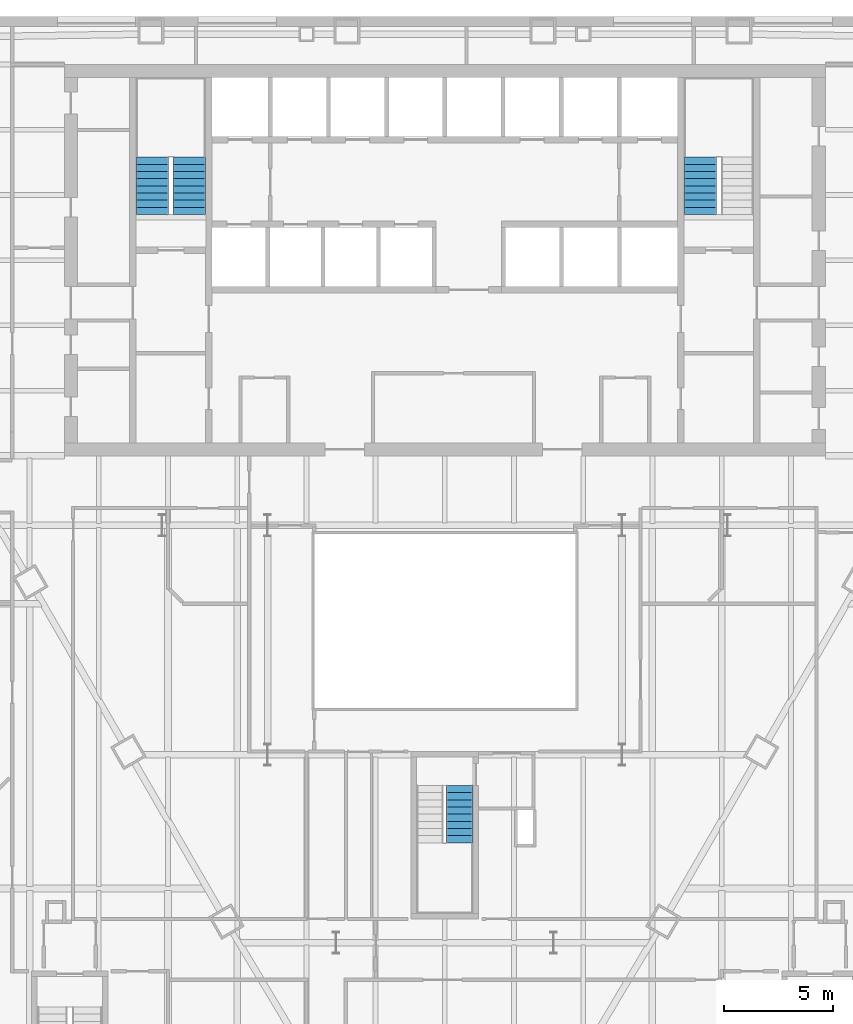
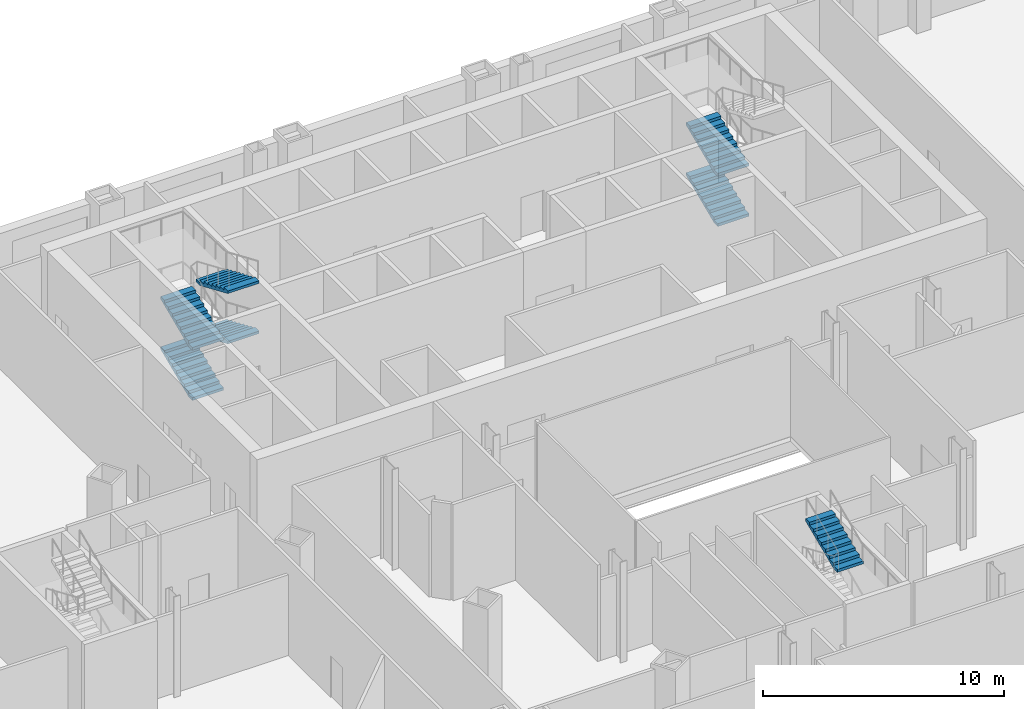
# One storey, part 18 of 21: 7 stair flights, 3 elements without a shape of their own.
"""IFC4 building model written with IfcOpenShell, lengths in metres."""

from ifc_helpers import new_model, si_unit, direction, frame, origin, place, context, subcontext, project, spatial, polygons, material, type_object, element, aggregate, save


model = new_model("IFC4")

# Units and contexts
model_context = context("Model", 3, precision=1e-05, world=origin(), true_north=direction((0.0, 1.0)))
body_context = subcontext(model_context, "Body", "Model", "MODEL_VIEW")
ifc_project = project(units=[si_unit("LENGTHUNIT", "METRE"), si_unit("AREAUNIT", "SQUARE_METRE"), si_unit("VOLUMEUNIT", "CUBIC_METRE"), si_unit("PLANEANGLEUNIT", "RADIAN"), si_unit("MASSUNIT", "GRAM", prefix="KILO")], contexts=[model_context])

# Site, building, storey
site_placement = place(None, origin())
site = spatial("IfcSite", under=ifc_project, at=site_placement, CompositionType="ELEMENT")
building_placement = place(site_placement, origin())
building = spatial("IfcBuilding", under=site, at=building_placement, Name="Njiva Tower", CompositionType="ELEMENT")
storey_placement = place(building_placement, frame((0.0, 0.0, 8.4)))
storey = spatial("IfcBuildingStorey", under=building, at=storey_placement, Name="L01", CompositionType="ELEMENT", Elevation=8.4)

# Stair, stair flight
ifc_material = material(Name="Concrete C40/50", Category="concrete")
stair_type_1 = type_object("IfcStairType", Name="ST1 Exit stair 1250", PredefinedType="HALF_TURN_STAIR", material=ifc_material)
stair_1_placement = place(storey_placement, origin())
stair_1 = element("IfcStair", 1, at=stair_1_placement, inside=storey, type_object=stair_type_1, Name="Stair C", PredefinedType="DOUBLE_RETURN_STAIR")
stair_flight_type_1 = type_object("IfcStairFlightType", Name="FL1 Stair flight 1250", PredefinedType="STRAIGHT", material=ifc_material)
stair_flight_1_placement = place(storey_placement, frame((0.675, -17.8, 3.825), z_axis=(0.0, 0.0, 1.0), x_axis=(0.0, 1.0, 0.0)))
stair_flight_1 = element("IfcStairFlight", 2, at=stair_flight_1_placement, type_object=stair_flight_type_1, Name="ST-C flight 4", NumberOfRisers=9, NumberOfTreads=8, PredefinedType="STRAIGHT", RiserHeight=0.141666667, TreadLength=0.33, context=body_context, shape_type="Tessellation", body=[
    polygons([(0.0, 0.625, 0.0), (0.0, 0.3125, 0.0), (0.0, 0.0, 0.0), (0.0, -0.3125, 0.0), (0.0, -0.625, 0.0), (0.0, 0.625, 0.1417), (0.0, 0.3125, 0.1417), (0.0, 0.0, 0.1417), (0.0, -0.3125, 0.1417), (0.0, -0.625, 0.1417), (0.33, 0.625, 0.1417), (0.33, 0.3125, 0.1417), (0.33, 0.0, 0.1417), (0.33, -0.3125, 0.1417), (0.33, -0.625, 0.1417), (0.33, 0.625, 0.2833), (0.33, 0.3125, 0.2833), (0.33, 0.0, 0.2833), (0.33, -0.3125, 0.2833), (0.33, -0.625, 0.2833), (0.66, 0.625, 0.2833), (0.66, 0.3125, 0.2833), (0.66, 0.0, 0.2833), (0.66, -0.3125, 0.2833), (0.66, -0.625, 0.2833), (0.66, 0.625, 0.425), (0.66, 0.3125, 0.425), (0.66, 0.0, 0.425), (0.66, -0.3125, 0.425), (0.66, -0.625, 0.425), (0.99, 0.625, 0.425), (0.99, 0.3125, 0.425), (0.99, 0.0, 0.425), (0.99, -0.3125, 0.425), (0.99, -0.625, 0.425), (0.99, 0.625, 0.5667), (0.99, 0.3125, 0.5667), (0.99, 0.0, 0.5667), (0.99, -0.3125, 0.5667), (0.99, -0.625, 0.5667), (1.32, 0.625, 0.5667), (1.32, 0.3125, 0.5667), (1.32, 0.0, 0.5667), (1.32, -0.3125, 0.5667), (1.32, -0.625, 0.5667), (1.32, 0.625, 0.7083), (1.32, 0.3125, 0.7083), (1.32, 0.0, 0.7083), (1.32, -0.3125, 0.7083), (1.32, -0.625, 0.7083), (1.65, 0.625, 0.7083), (1.65, 0.3125, 0.7083), (1.65, 0.0, 0.7083), (1.65, -0.3125, 0.7083), (1.65, -0.625, 0.7083), (1.65, 0.625, 0.85), (1.65, 0.3125, 0.85), (1.65, 0.0, 0.85), (1.65, -0.3125, 0.85), (1.65, -0.625, 0.85), (1.98, 0.625, 0.85), (1.98, 0.3125, 0.85), (1.98, 0.0, 0.85), (1.98, -0.3125, 0.85), (1.98, -0.625, 0.85), (1.98, 0.625, 0.9917), (1.98, 0.3125, 0.9917), (1.98, 0.0, 0.9917), (1.98, -0.3125, 0.9917), (1.98, -0.625, 0.9917), (2.31, 0.625, 0.9917), (2.31, 0.3125, 0.9917), (2.31, 0.0, 0.9917), (2.31, -0.3125, 0.9917), (2.31, -0.625, 0.9917), (2.31, 0.625, 1.1333), (2.31, 0.3125, 1.1333), (2.31, 0.0, 1.1333), (2.31, -0.3125, 1.1333), (2.31, -0.625, 1.1333), (2.64, 0.625, 1.1333), (2.64, 0.3125, 1.1333), (2.64, 0.0, 1.1333), (2.64, -0.3125, 1.1333), (2.64, -0.625, 1.1333), (2.64, 0.625, 1.0027), (2.64, 0.3125, 1.0027), (2.64, 0.0, 1.0027), (2.64, -0.3125, 1.0027), (2.64, -0.625, 1.0027), (0.3042, 0.625, 0.0), (0.3042, 0.3125, 0.0), (0.3042, 0.0, 0.0), (0.3042, -0.3125, 0.0), (0.3042, -0.625, 0.0)], [[[1, 6, 11, 16, 21, 26, 31, 36, 41, 46, 51, 56, 61, 66, 71, 76, 81, 86, 91]], [[95, 90, 85, 80, 75, 70, 65, 60, 55, 50, 45, 40, 35, 30, 25, 20, 15, 10, 5]], [[6, 1, 2, 7]], [[7, 2, 3, 8]], [[8, 3, 4, 9]], [[9, 4, 5, 10]], [[11, 6, 7, 12]], [[12, 7, 8, 13]], [[13, 8, 9, 14]], [[14, 9, 10, 15]], [[16, 11, 12, 17]], [[17, 12, 13, 18]], [[18, 13, 14, 19]], [[19, 14, 15, 20]], [[21, 16, 17, 22]], [[22, 17, 18, 23]], [[23, 18, 19, 24]], [[24, 19, 20, 25]], [[26, 21, 22, 27]], [[27, 22, 23, 28]], [[28, 23, 24, 29]], [[29, 24, 25, 30]], [[31, 26, 27, 32]], [[32, 27, 28, 33]], [[33, 28, 29, 34]], [[34, 29, 30, 35]], [[36, 31, 32, 37]], [[37, 32, 33, 38]], [[38, 33, 34, 39]], [[39, 34, 35, 40]], [[41, 36, 37, 42]], [[42, 37, 38, 43]], [[43, 38, 39, 44]], [[44, 39, 40, 45]], [[46, 41, 42, 47]], [[47, 42, 43, 48]], [[48, 43, 44, 49]], [[49, 44, 45, 50]], [[51, 46, 47, 52]], [[52, 47, 48, 53]], [[53, 48, 49, 54]], [[54, 49, 50, 55]], [[56, 51, 52, 57]], [[57, 52, 53, 58]], [[58, 53, 54, 59]], [[59, 54, 55, 60]], [[61, 56, 57, 62]], [[62, 57, 58, 63]], [[63, 58, 59, 64]], [[64, 59, 60, 65]], [[66, 61, 62, 67]], [[67, 62, 63, 68]], [[68, 63, 64, 69]], [[69, 64, 65, 70]], [[71, 66, 67, 72]], [[72, 67, 68, 73]], [[73, 68, 69, 74]], [[74, 69, 70, 75]], [[76, 71, 72, 77]], [[77, 72, 73, 78]], [[78, 73, 74, 79]], [[79, 74, 75, 80]], [[81, 76, 77, 82]], [[82, 77, 78, 83]], [[83, 78, 79, 84]], [[84, 79, 80, 85]], [[86, 81, 82, 87]], [[87, 82, 83, 88]], [[88, 83, 84, 89]], [[89, 84, 85, 90]], [[91, 86, 87, 92]], [[92, 87, 88, 93]], [[93, 88, 89, 94]], [[94, 89, 90, 95]], [[1, 91, 92, 2]], [[2, 92, 93, 3]], [[3, 93, 94, 4]], [[4, 94, 95, 5]]], closed=True),
])
aggregate(stair_1, [stair_flight_1])

# Stair, stair flights
stair_type_2 = type_object("IfcStairType", Name="ST4 Exit stair 1500", PredefinedType="HALF_TURN_STAIR", material=ifc_material)
stair_2_placement = place(storey_placement, origin())
stair_2 = element("IfcStair", 3, at=stair_2_placement, inside=storey, type_object=stair_type_2, Name="Stair A", PredefinedType="DOUBLE_RETURN_STAIR")
stair_flight_type_2 = type_object("IfcStairFlightType", Name="FL4 Stair flight 1500", PredefinedType="STRAIGHT", material=ifc_material)
stair_flight_2_placement = place(storey_placement, frame((-13.45, 11.1, 0.0), z_axis=(0.0, 0.0, 1.0), x_axis=(0.0, 1.0, 0.0)))
stair_flight_2 = element("IfcStairFlight", 4, at=stair_flight_2_placement, type_object=stair_flight_type_2, Name="ST-A flight 1", NumberOfRisers=9, NumberOfTreads=8, PredefinedType="STRAIGHT", RiserHeight=0.141666667, TreadLength=0.33, context=body_context, shape_type="Tessellation", body=[
    polygons([(0.0, 0.75, 0.0), (0.0, 0.375, 0.0), (0.0, 0.0, 0.0), (0.0, -0.375, 0.0), (0.0, -0.75, 0.0), (0.0, 0.75, 0.1417), (0.0, 0.375, 0.1417), (0.0, 0.0, 0.1417), (0.0, -0.375, 0.1417), (0.0, -0.75, 0.1417), (0.33, 0.75, 0.1417), (0.33, 0.375, 0.1417), (0.33, 0.0, 0.1417), (0.33, -0.375, 0.1417), (0.33, -0.75, 0.1417), (0.33, 0.75, 0.2833), (0.33, 0.375, 0.2833), (0.33, 0.0, 0.2833), (0.33, -0.375, 0.2833), (0.33, -0.75, 0.2833), (0.66, 0.75, 0.2833), (0.66, 0.375, 0.2833), (0.66, 0.0, 0.2833), (0.66, -0.375, 0.2833), (0.66, -0.75, 0.2833), (0.66, 0.75, 0.425), (0.66, 0.375, 0.425), (0.66, 0.0, 0.425), (0.66, -0.375, 0.425), (0.66, -0.75, 0.425), (0.99, 0.75, 0.425), (0.99, 0.375, 0.425), (0.99, 0.0, 0.425), (0.99, -0.375, 0.425), (0.99, -0.75, 0.425), (0.99, 0.75, 0.5667), (0.99, 0.375, 0.5667), (0.99, 0.0, 0.5667), (0.99, -0.375, 0.5667), (0.99, -0.75, 0.5667), (1.32, 0.75, 0.5667), (1.32, 0.375, 0.5667), (1.32, 0.0, 0.5667), (1.32, -0.375, 0.5667), (1.32, -0.75, 0.5667), (1.32, 0.75, 0.7083), (1.32, 0.375, 0.7083), (1.32, 0.0, 0.7083), (1.32, -0.375, 0.7083), (1.32, -0.75, 0.7083), (1.65, 0.75, 0.7083), (1.65, 0.375, 0.7083), (1.65, 0.0, 0.7083), (1.65, -0.375, 0.7083), (1.65, -0.75, 0.7083), (1.65, 0.75, 0.85), (1.65, 0.375, 0.85), (1.65, 0.0, 0.85), (1.65, -0.375, 0.85), (1.65, -0.75, 0.85), (1.98, 0.75, 0.85), (1.98, 0.375, 0.85), (1.98, 0.0, 0.85), (1.98, -0.375, 0.85), (1.98, -0.75, 0.85), (1.98, 0.75, 0.9917), (1.98, 0.375, 0.9917), (1.98, 0.0, 0.9917), (1.98, -0.375, 0.9917), (1.98, -0.75, 0.9917), (2.31, 0.75, 0.9917), (2.31, 0.375, 0.9917), (2.31, 0.0, 0.9917), (2.31, -0.375, 0.9917), (2.31, -0.75, 0.9917), (2.31, 0.75, 1.1333), (2.31, 0.375, 1.1333), (2.31, 0.0, 1.1333), (2.31, -0.375, 1.1333), (2.31, -0.75, 1.1333), (2.64, 0.75, 1.1333), (2.64, 0.375, 1.1333), (2.64, 0.0, 1.1333), (2.64, -0.375, 1.1333), (2.64, -0.75, 1.1333), (2.64, 0.75, 1.0027), (2.64, 0.375, 1.0027), (2.64, 0.0, 1.0027), (2.64, -0.375, 1.0027), (2.64, -0.75, 1.0027), (0.3042, 0.75, 0.0), (0.3042, 0.375, 0.0), (0.3042, 0.0, 0.0), (0.3042, -0.375, 0.0), (0.3042, -0.75, 0.0)], [[[1, 6, 11, 16, 21, 26, 31, 36, 41, 46, 51, 56, 61, 66, 71, 76, 81, 86, 91]], [[95, 90, 85, 80, 75, 70, 65, 60, 55, 50, 45, 40, 35, 30, 25, 20, 15, 10, 5]], [[6, 1, 2, 7]], [[7, 2, 3, 8]], [[8, 3, 4, 9]], [[9, 4, 5, 10]], [[11, 6, 7, 12]], [[12, 7, 8, 13]], [[13, 8, 9, 14]], [[14, 9, 10, 15]], [[16, 11, 12, 17]], [[17, 12, 13, 18]], [[18, 13, 14, 19]], [[19, 14, 15, 20]], [[21, 16, 17, 22]], [[22, 17, 18, 23]], [[23, 18, 19, 24]], [[24, 19, 20, 25]], [[26, 21, 22, 27]], [[27, 22, 23, 28]], [[28, 23, 24, 29]], [[29, 24, 25, 30]], [[31, 26, 27, 32]], [[32, 27, 28, 33]], [[33, 28, 29, 34]], [[34, 29, 30, 35]], [[36, 31, 32, 37]], [[37, 32, 33, 38]], [[38, 33, 34, 39]], [[39, 34, 35, 40]], [[41, 36, 37, 42]], [[42, 37, 38, 43]], [[43, 38, 39, 44]], [[44, 39, 40, 45]], [[46, 41, 42, 47]], [[47, 42, 43, 48]], [[48, 43, 44, 49]], [[49, 44, 45, 50]], [[51, 46, 47, 52]], [[52, 47, 48, 53]], [[53, 48, 49, 54]], [[54, 49, 50, 55]], [[56, 51, 52, 57]], [[57, 52, 53, 58]], [[58, 53, 54, 59]], [[59, 54, 55, 60]], [[61, 56, 57, 62]], [[62, 57, 58, 63]], [[63, 58, 59, 64]], [[64, 59, 60, 65]], [[66, 61, 62, 67]], [[67, 62, 63, 68]], [[68, 63, 64, 69]], [[69, 64, 65, 70]], [[71, 66, 67, 72]], [[72, 67, 68, 73]], [[73, 68, 69, 74]], [[74, 69, 70, 75]], [[76, 71, 72, 77]], [[77, 72, 73, 78]], [[78, 73, 74, 79]], [[79, 74, 75, 80]], [[81, 76, 77, 82]], [[82, 77, 78, 83]], [[83, 78, 79, 84]], [[84, 79, 80, 85]], [[86, 81, 82, 87]], [[87, 82, 83, 88]], [[88, 83, 84, 89]], [[89, 84, 85, 90]], [[91, 86, 87, 92]], [[92, 87, 88, 93]], [[93, 88, 89, 94]], [[94, 89, 90, 95]], [[1, 91, 92, 2]], [[2, 92, 93, 3]], [[3, 93, 94, 4]], [[4, 94, 95, 5]]], closed=True),
])
stair_flight_3_placement = place(storey_placement, frame((-11.75, 13.74, 1.275), z_axis=(0.0, 0.0, 1.0), x_axis=(0.0, -1.0, 0.0)))
stair_flight_3 = element("IfcStairFlight", 5, at=stair_flight_3_placement, type_object=stair_flight_type_2, Name="ST-A flight 2", NumberOfRisers=9, NumberOfTreads=8, PredefinedType="STRAIGHT", RiserHeight=0.141666667, TreadLength=0.33, context=body_context, shape_type="Tessellation", body=[
    polygons([(0.0, 0.75, 0.0), (0.0, 0.375, 0.0), (0.0, 0.0, 0.0), (0.0, -0.375, 0.0), (0.0, -0.75, 0.0), (0.0, 0.75, 0.1417), (0.0, 0.375, 0.1417), (0.0, 0.0, 0.1417), (0.0, -0.375, 0.1417), (0.0, -0.75, 0.1417), (0.33, 0.75, 0.1417), (0.33, 0.375, 0.1417), (0.33, 0.0, 0.1417), (0.33, -0.375, 0.1417), (0.33, -0.75, 0.1417), (0.33, 0.75, 0.2833), (0.33, 0.375, 0.2833), (0.33, 0.0, 0.2833), (0.33, -0.375, 0.2833), (0.33, -0.75, 0.2833), (0.66, 0.75, 0.2833), (0.66, 0.375, 0.2833), (0.66, 0.0, 0.2833), (0.66, -0.375, 0.2833), (0.66, -0.75, 0.2833), (0.66, 0.75, 0.425), (0.66, 0.375, 0.425), (0.66, 0.0, 0.425), (0.66, -0.375, 0.425), (0.66, -0.75, 0.425), (0.99, 0.75, 0.425), (0.99, 0.375, 0.425), (0.99, 0.0, 0.425), (0.99, -0.375, 0.425), (0.99, -0.75, 0.425), (0.99, 0.75, 0.5667), (0.99, 0.375, 0.5667), (0.99, 0.0, 0.5667), (0.99, -0.375, 0.5667), (0.99, -0.75, 0.5667), (1.32, 0.75, 0.5667), (1.32, 0.375, 0.5667), (1.32, 0.0, 0.5667), (1.32, -0.375, 0.5667), (1.32, -0.75, 0.5667), (1.32, 0.75, 0.7083), (1.32, 0.375, 0.7083), (1.32, 0.0, 0.7083), (1.32, -0.375, 0.7083), (1.32, -0.75, 0.7083), (1.65, 0.75, 0.7083), (1.65, 0.375, 0.7083), (1.65, 0.0, 0.7083), (1.65, -0.375, 0.7083), (1.65, -0.75, 0.7083), (1.65, 0.75, 0.85), (1.65, 0.375, 0.85), (1.65, 0.0, 0.85), (1.65, -0.375, 0.85), (1.65, -0.75, 0.85), (1.98, 0.75, 0.85), (1.98, 0.375, 0.85), (1.98, 0.0, 0.85), (1.98, -0.375, 0.85), (1.98, -0.75, 0.85), (1.98, 0.75, 0.9917), (1.98, 0.375, 0.9917), (1.98, 0.0, 0.9917), (1.98, -0.375, 0.9917), (1.98, -0.75, 0.9917), (2.31, 0.75, 0.9917), (2.31, 0.375, 0.9917), (2.31, 0.0, 0.9917), (2.31, -0.375, 0.9917), (2.31, -0.75, 0.9917), (2.31, 0.75, 1.1333), (2.31, 0.375, 1.1333), (2.31, 0.0, 1.1333), (2.31, -0.375, 1.1333), (2.31, -0.75, 1.1333), (2.64, 0.75, 1.1333), (2.64, 0.375, 1.1333), (2.64, 0.0, 1.1333), (2.64, -0.375, 1.1333), (2.64, -0.75, 1.1333), (2.64, 0.75, 1.0027), (2.64, 0.375, 1.0027), (2.64, 0.0, 1.0027), (2.64, -0.375, 1.0027), (2.64, -0.75, 1.0027), (0.3042, 0.75, 0.0), (0.3042, 0.375, 0.0), (0.3042, 0.0, 0.0), (0.3042, -0.375, 0.0), (0.3042, -0.75, 0.0)], [[[1, 6, 11, 16, 21, 26, 31, 36, 41, 46, 51, 56, 61, 66, 71, 76, 81, 86, 91]], [[95, 90, 85, 80, 75, 70, 65, 60, 55, 50, 45, 40, 35, 30, 25, 20, 15, 10, 5]], [[6, 1, 2, 7]], [[7, 2, 3, 8]], [[8, 3, 4, 9]], [[9, 4, 5, 10]], [[11, 6, 7, 12]], [[12, 7, 8, 13]], [[13, 8, 9, 14]], [[14, 9, 10, 15]], [[16, 11, 12, 17]], [[17, 12, 13, 18]], [[18, 13, 14, 19]], [[19, 14, 15, 20]], [[21, 16, 17, 22]], [[22, 17, 18, 23]], [[23, 18, 19, 24]], [[24, 19, 20, 25]], [[26, 21, 22, 27]], [[27, 22, 23, 28]], [[28, 23, 24, 29]], [[29, 24, 25, 30]], [[31, 26, 27, 32]], [[32, 27, 28, 33]], [[33, 28, 29, 34]], [[34, 29, 30, 35]], [[36, 31, 32, 37]], [[37, 32, 33, 38]], [[38, 33, 34, 39]], [[39, 34, 35, 40]], [[41, 36, 37, 42]], [[42, 37, 38, 43]], [[43, 38, 39, 44]], [[44, 39, 40, 45]], [[46, 41, 42, 47]], [[47, 42, 43, 48]], [[48, 43, 44, 49]], [[49, 44, 45, 50]], [[51, 46, 47, 52]], [[52, 47, 48, 53]], [[53, 48, 49, 54]], [[54, 49, 50, 55]], [[56, 51, 52, 57]], [[57, 52, 53, 58]], [[58, 53, 54, 59]], [[59, 54, 55, 60]], [[61, 56, 57, 62]], [[62, 57, 58, 63]], [[63, 58, 59, 64]], [[64, 59, 60, 65]], [[66, 61, 62, 67]], [[67, 62, 63, 68]], [[68, 63, 64, 69]], [[69, 64, 65, 70]], [[71, 66, 67, 72]], [[72, 67, 68, 73]], [[73, 68, 69, 74]], [[74, 69, 70, 75]], [[76, 71, 72, 77]], [[77, 72, 73, 78]], [[78, 73, 74, 79]], [[79, 74, 75, 80]], [[81, 76, 77, 82]], [[82, 77, 78, 83]], [[83, 78, 79, 84]], [[84, 79, 80, 85]], [[86, 81, 82, 87]], [[87, 82, 83, 88]], [[88, 83, 84, 89]], [[89, 84, 85, 90]], [[91, 86, 87, 92]], [[92, 87, 88, 93]], [[93, 88, 89, 94]], [[94, 89, 90, 95]], [[1, 91, 92, 2]], [[2, 92, 93, 3]], [[3, 93, 94, 4]], [[4, 94, 95, 5]]], closed=True),
])
stair_flight_4_placement = place(storey_placement, frame((-13.45, 11.1, 2.55), z_axis=(0.0, 0.0, 1.0), x_axis=(0.0, 1.0, 0.0)))
stair_flight_4 = element("IfcStairFlight", 6, at=stair_flight_4_placement, type_object=stair_flight_type_2, Name="ST-A flight 3", NumberOfRisers=9, NumberOfTreads=8, PredefinedType="STRAIGHT", RiserHeight=0.141666667, TreadLength=0.33, context=body_context, shape_type="Tessellation", body=[
    polygons([(0.0, 0.75, 0.0), (0.0, 0.375, 0.0), (0.0, 0.0, 0.0), (0.0, -0.375, 0.0), (0.0, -0.75, 0.0), (0.0, 0.75, 0.1417), (0.0, 0.375, 0.1417), (0.0, 0.0, 0.1417), (0.0, -0.375, 0.1417), (0.0, -0.75, 0.1417), (0.33, 0.75, 0.1417), (0.33, 0.375, 0.1417), (0.33, 0.0, 0.1417), (0.33, -0.375, 0.1417), (0.33, -0.75, 0.1417), (0.33, 0.75, 0.2833), (0.33, 0.375, 0.2833), (0.33, 0.0, 0.2833), (0.33, -0.375, 0.2833), (0.33, -0.75, 0.2833), (0.66, 0.75, 0.2833), (0.66, 0.375, 0.2833), (0.66, 0.0, 0.2833), (0.66, -0.375, 0.2833), (0.66, -0.75, 0.2833), (0.66, 0.75, 0.425), (0.66, 0.375, 0.425), (0.66, 0.0, 0.425), (0.66, -0.375, 0.425), (0.66, -0.75, 0.425), (0.99, 0.75, 0.425), (0.99, 0.375, 0.425), (0.99, 0.0, 0.425), (0.99, -0.375, 0.425), (0.99, -0.75, 0.425), (0.99, 0.75, 0.5667), (0.99, 0.375, 0.5667), (0.99, 0.0, 0.5667), (0.99, -0.375, 0.5667), (0.99, -0.75, 0.5667), (1.32, 0.75, 0.5667), (1.32, 0.375, 0.5667), (1.32, 0.0, 0.5667), (1.32, -0.375, 0.5667), (1.32, -0.75, 0.5667), (1.32, 0.75, 0.7083), (1.32, 0.375, 0.7083), (1.32, 0.0, 0.7083), (1.32, -0.375, 0.7083), (1.32, -0.75, 0.7083), (1.65, 0.75, 0.7083), (1.65, 0.375, 0.7083), (1.65, 0.0, 0.7083), (1.65, -0.375, 0.7083), (1.65, -0.75, 0.7083), (1.65, 0.75, 0.85), (1.65, 0.375, 0.85), (1.65, 0.0, 0.85), (1.65, -0.375, 0.85), (1.65, -0.75, 0.85), (1.98, 0.75, 0.85), (1.98, 0.375, 0.85), (1.98, 0.0, 0.85), (1.98, -0.375, 0.85), (1.98, -0.75, 0.85), (1.98, 0.75, 0.9917), (1.98, 0.375, 0.9917), (1.98, 0.0, 0.9917), (1.98, -0.375, 0.9917), (1.98, -0.75, 0.9917), (2.31, 0.75, 0.9917), (2.31, 0.375, 0.9917), (2.31, 0.0, 0.9917), (2.31, -0.375, 0.9917), (2.31, -0.75, 0.9917), (2.31, 0.75, 1.1333), (2.31, 0.375, 1.1333), (2.31, 0.0, 1.1333), (2.31, -0.375, 1.1333), (2.31, -0.75, 1.1333), (2.64, 0.75, 1.1333), (2.64, 0.375, 1.1333), (2.64, 0.0, 1.1333), (2.64, -0.375, 1.1333), (2.64, -0.75, 1.1333), (2.64, 0.75, 1.0027), (2.64, 0.375, 1.0027), (2.64, 0.0, 1.0027), (2.64, -0.375, 1.0027), (2.64, -0.75, 1.0027), (0.3042, 0.75, 0.0), (0.3042, 0.375, 0.0), (0.3042, 0.0, 0.0), (0.3042, -0.375, 0.0), (0.3042, -0.75, 0.0)], [[[1, 6, 11, 16, 21, 26, 31, 36, 41, 46, 51, 56, 61, 66, 71, 76, 81, 86, 91]], [[95, 90, 85, 80, 75, 70, 65, 60, 55, 50, 45, 40, 35, 30, 25, 20, 15, 10, 5]], [[6, 1, 2, 7]], [[7, 2, 3, 8]], [[8, 3, 4, 9]], [[9, 4, 5, 10]], [[11, 6, 7, 12]], [[12, 7, 8, 13]], [[13, 8, 9, 14]], [[14, 9, 10, 15]], [[16, 11, 12, 17]], [[17, 12, 13, 18]], [[18, 13, 14, 19]], [[19, 14, 15, 20]], [[21, 16, 17, 22]], [[22, 17, 18, 23]], [[23, 18, 19, 24]], [[24, 19, 20, 25]], [[26, 21, 22, 27]], [[27, 22, 23, 28]], [[28, 23, 24, 29]], [[29, 24, 25, 30]], [[31, 26, 27, 32]], [[32, 27, 28, 33]], [[33, 28, 29, 34]], [[34, 29, 30, 35]], [[36, 31, 32, 37]], [[37, 32, 33, 38]], [[38, 33, 34, 39]], [[39, 34, 35, 40]], [[41, 36, 37, 42]], [[42, 37, 38, 43]], [[43, 38, 39, 44]], [[44, 39, 40, 45]], [[46, 41, 42, 47]], [[47, 42, 43, 48]], [[48, 43, 44, 49]], [[49, 44, 45, 50]], [[51, 46, 47, 52]], [[52, 47, 48, 53]], [[53, 48, 49, 54]], [[54, 49, 50, 55]], [[56, 51, 52, 57]], [[57, 52, 53, 58]], [[58, 53, 54, 59]], [[59, 54, 55, 60]], [[61, 56, 57, 62]], [[62, 57, 58, 63]], [[63, 58, 59, 64]], [[64, 59, 60, 65]], [[66, 61, 62, 67]], [[67, 62, 63, 68]], [[68, 63, 64, 69]], [[69, 64, 65, 70]], [[71, 66, 67, 72]], [[72, 67, 68, 73]], [[73, 68, 69, 74]], [[74, 69, 70, 75]], [[76, 71, 72, 77]], [[77, 72, 73, 78]], [[78, 73, 74, 79]], [[79, 74, 75, 80]], [[81, 76, 77, 82]], [[82, 77, 78, 83]], [[83, 78, 79, 84]], [[84, 79, 80, 85]], [[86, 81, 82, 87]], [[87, 82, 83, 88]], [[88, 83, 84, 89]], [[89, 84, 85, 90]], [[91, 86, 87, 92]], [[92, 87, 88, 93]], [[93, 88, 89, 94]], [[94, 89, 90, 95]], [[1, 91, 92, 2]], [[2, 92, 93, 3]], [[3, 93, 94, 4]], [[4, 94, 95, 5]]], closed=True),
])
stair_flight_5_placement = place(storey_placement, frame((-11.75, 13.74, 3.825), z_axis=(0.0, 0.0, 1.0), x_axis=(0.0, -1.0, 0.0)))
stair_flight_5 = element("IfcStairFlight", 7, at=stair_flight_5_placement, type_object=stair_flight_type_2, Name="ST-A flight 4", NumberOfRisers=9, NumberOfTreads=8, PredefinedType="STRAIGHT", RiserHeight=0.141666667, TreadLength=0.33, context=body_context, shape_type="Tessellation", body=[
    polygons([(0.0, 0.75, 0.0), (0.0, 0.375, 0.0), (0.0, 0.0, 0.0), (0.0, -0.375, 0.0), (0.0, -0.75, 0.0), (0.0, 0.75, 0.1417), (0.0, 0.375, 0.1417), (0.0, 0.0, 0.1417), (0.0, -0.375, 0.1417), (0.0, -0.75, 0.1417), (0.33, 0.75, 0.1417), (0.33, 0.375, 0.1417), (0.33, 0.0, 0.1417), (0.33, -0.375, 0.1417), (0.33, -0.75, 0.1417), (0.33, 0.75, 0.2833), (0.33, 0.375, 0.2833), (0.33, 0.0, 0.2833), (0.33, -0.375, 0.2833), (0.33, -0.75, 0.2833), (0.66, 0.75, 0.2833), (0.66, 0.375, 0.2833), (0.66, 0.0, 0.2833), (0.66, -0.375, 0.2833), (0.66, -0.75, 0.2833), (0.66, 0.75, 0.425), (0.66, 0.375, 0.425), (0.66, 0.0, 0.425), (0.66, -0.375, 0.425), (0.66, -0.75, 0.425), (0.99, 0.75, 0.425), (0.99, 0.375, 0.425), (0.99, 0.0, 0.425), (0.99, -0.375, 0.425), (0.99, -0.75, 0.425), (0.99, 0.75, 0.5667), (0.99, 0.375, 0.5667), (0.99, 0.0, 0.5667), (0.99, -0.375, 0.5667), (0.99, -0.75, 0.5667), (1.32, 0.75, 0.5667), (1.32, 0.375, 0.5667), (1.32, 0.0, 0.5667), (1.32, -0.375, 0.5667), (1.32, -0.75, 0.5667), (1.32, 0.75, 0.7083), (1.32, 0.375, 0.7083), (1.32, 0.0, 0.7083), (1.32, -0.375, 0.7083), (1.32, -0.75, 0.7083), (1.65, 0.75, 0.7083), (1.65, 0.375, 0.7083), (1.65, 0.0, 0.7083), (1.65, -0.375, 0.7083), (1.65, -0.75, 0.7083), (1.65, 0.75, 0.85), (1.65, 0.375, 0.85), (1.65, 0.0, 0.85), (1.65, -0.375, 0.85), (1.65, -0.75, 0.85), (1.98, 0.75, 0.85), (1.98, 0.375, 0.85), (1.98, 0.0, 0.85), (1.98, -0.375, 0.85), (1.98, -0.75, 0.85), (1.98, 0.75, 0.9917), (1.98, 0.375, 0.9917), (1.98, 0.0, 0.9917), (1.98, -0.375, 0.9917), (1.98, -0.75, 0.9917), (2.31, 0.75, 0.9917), (2.31, 0.375, 0.9917), (2.31, 0.0, 0.9917), (2.31, -0.375, 0.9917), (2.31, -0.75, 0.9917), (2.31, 0.75, 1.1333), (2.31, 0.375, 1.1333), (2.31, 0.0, 1.1333), (2.31, -0.375, 1.1333), (2.31, -0.75, 1.1333), (2.64, 0.75, 1.1333), (2.64, 0.375, 1.1333), (2.64, 0.0, 1.1333), (2.64, -0.375, 1.1333), (2.64, -0.75, 1.1333), (2.64, 0.75, 1.0027), (2.64, 0.375, 1.0027), (2.64, 0.0, 1.0027), (2.64, -0.375, 1.0027), (2.64, -0.75, 1.0027), (0.3042, 0.75, 0.0), (0.3042, 0.375, 0.0), (0.3042, 0.0, 0.0), (0.3042, -0.375, 0.0), (0.3042, -0.75, 0.0)], [[[1, 6, 11, 16, 21, 26, 31, 36, 41, 46, 51, 56, 61, 66, 71, 76, 81, 86, 91]], [[95, 90, 85, 80, 75, 70, 65, 60, 55, 50, 45, 40, 35, 30, 25, 20, 15, 10, 5]], [[6, 1, 2, 7]], [[7, 2, 3, 8]], [[8, 3, 4, 9]], [[9, 4, 5, 10]], [[11, 6, 7, 12]], [[12, 7, 8, 13]], [[13, 8, 9, 14]], [[14, 9, 10, 15]], [[16, 11, 12, 17]], [[17, 12, 13, 18]], [[18, 13, 14, 19]], [[19, 14, 15, 20]], [[21, 16, 17, 22]], [[22, 17, 18, 23]], [[23, 18, 19, 24]], [[24, 19, 20, 25]], [[26, 21, 22, 27]], [[27, 22, 23, 28]], [[28, 23, 24, 29]], [[29, 24, 25, 30]], [[31, 26, 27, 32]], [[32, 27, 28, 33]], [[33, 28, 29, 34]], [[34, 29, 30, 35]], [[36, 31, 32, 37]], [[37, 32, 33, 38]], [[38, 33, 34, 39]], [[39, 34, 35, 40]], [[41, 36, 37, 42]], [[42, 37, 38, 43]], [[43, 38, 39, 44]], [[44, 39, 40, 45]], [[46, 41, 42, 47]], [[47, 42, 43, 48]], [[48, 43, 44, 49]], [[49, 44, 45, 50]], [[51, 46, 47, 52]], [[52, 47, 48, 53]], [[53, 48, 49, 54]], [[54, 49, 50, 55]], [[56, 51, 52, 57]], [[57, 52, 53, 58]], [[58, 53, 54, 59]], [[59, 54, 55, 60]], [[61, 56, 57, 62]], [[62, 57, 58, 63]], [[63, 58, 59, 64]], [[64, 59, 60, 65]], [[66, 61, 62, 67]], [[67, 62, 63, 68]], [[68, 63, 64, 69]], [[69, 64, 65, 70]], [[71, 66, 67, 72]], [[72, 67, 68, 73]], [[73, 68, 69, 74]], [[74, 69, 70, 75]], [[76, 71, 72, 77]], [[77, 72, 73, 78]], [[78, 73, 74, 79]], [[79, 74, 75, 80]], [[81, 76, 77, 82]], [[82, 77, 78, 83]], [[83, 78, 79, 84]], [[84, 79, 80, 85]], [[86, 81, 82, 87]], [[87, 82, 83, 88]], [[88, 83, 84, 89]], [[89, 84, 85, 90]], [[91, 86, 87, 92]], [[92, 87, 88, 93]], [[93, 88, 89, 94]], [[94, 89, 90, 95]], [[1, 91, 92, 2]], [[2, 92, 93, 3]], [[3, 93, 94, 4]], [[4, 94, 95, 5]]], closed=True),
])
aggregate(stair_2, [stair_flight_2, stair_flight_3, stair_flight_4, stair_flight_5])

stair_3_placement = place(storey_placement, origin())
stair_3 = element("IfcStair", 8, at=stair_3_placement, inside=storey, type_object=stair_type_2, Name="Stair B", PredefinedType="DOUBLE_RETURN_STAIR")
stair_flight_6_placement = place(storey_placement, frame((11.75, 11.1, 0.0), z_axis=(0.0, 0.0, 1.0), x_axis=(0.0, 1.0, 0.0)))
stair_flight_6 = element("IfcStairFlight", 9, at=stair_flight_6_placement, type_object=stair_flight_type_2, Name="ST-B flight 1", NumberOfRisers=9, NumberOfTreads=8, PredefinedType="STRAIGHT", RiserHeight=0.141666667, TreadLength=0.33, context=body_context, shape_type="Tessellation", body=[
    polygons([(0.0, 0.75, 0.0), (0.0, 0.375, 0.0), (0.0, 0.0, 0.0), (0.0, -0.375, 0.0), (0.0, -0.75, 0.0), (0.0, 0.75, 0.1417), (0.0, 0.375, 0.1417), (0.0, 0.0, 0.1417), (0.0, -0.375, 0.1417), (0.0, -0.75, 0.1417), (0.33, 0.75, 0.1417), (0.33, 0.375, 0.1417), (0.33, 0.0, 0.1417), (0.33, -0.375, 0.1417), (0.33, -0.75, 0.1417), (0.33, 0.75, 0.2833), (0.33, 0.375, 0.2833), (0.33, 0.0, 0.2833), (0.33, -0.375, 0.2833), (0.33, -0.75, 0.2833), (0.66, 0.75, 0.2833), (0.66, 0.375, 0.2833), (0.66, 0.0, 0.2833), (0.66, -0.375, 0.2833), (0.66, -0.75, 0.2833), (0.66, 0.75, 0.425), (0.66, 0.375, 0.425), (0.66, 0.0, 0.425), (0.66, -0.375, 0.425), (0.66, -0.75, 0.425), (0.99, 0.75, 0.425), (0.99, 0.375, 0.425), (0.99, 0.0, 0.425), (0.99, -0.375, 0.425), (0.99, -0.75, 0.425), (0.99, 0.75, 0.5667), (0.99, 0.375, 0.5667), (0.99, 0.0, 0.5667), (0.99, -0.375, 0.5667), (0.99, -0.75, 0.5667), (1.32, 0.75, 0.5667), (1.32, 0.375, 0.5667), (1.32, 0.0, 0.5667), (1.32, -0.375, 0.5667), (1.32, -0.75, 0.5667), (1.32, 0.75, 0.7083), (1.32, 0.375, 0.7083), (1.32, 0.0, 0.7083), (1.32, -0.375, 0.7083), (1.32, -0.75, 0.7083), (1.65, 0.75, 0.7083), (1.65, 0.375, 0.7083), (1.65, 0.0, 0.7083), (1.65, -0.375, 0.7083), (1.65, -0.75, 0.7083), (1.65, 0.75, 0.85), (1.65, 0.375, 0.85), (1.65, 0.0, 0.85), (1.65, -0.375, 0.85), (1.65, -0.75, 0.85), (1.98, 0.75, 0.85), (1.98, 0.375, 0.85), (1.98, 0.0, 0.85), (1.98, -0.375, 0.85), (1.98, -0.75, 0.85), (1.98, 0.75, 0.9917), (1.98, 0.375, 0.9917), (1.98, 0.0, 0.9917), (1.98, -0.375, 0.9917), (1.98, -0.75, 0.9917), (2.31, 0.75, 0.9917), (2.31, 0.375, 0.9917), (2.31, 0.0, 0.9917), (2.31, -0.375, 0.9917), (2.31, -0.75, 0.9917), (2.31, 0.75, 1.1333), (2.31, 0.375, 1.1333), (2.31, 0.0, 1.1333), (2.31, -0.375, 1.1333), (2.31, -0.75, 1.1333), (2.64, 0.75, 1.1333), (2.64, 0.375, 1.1333), (2.64, 0.0, 1.1333), (2.64, -0.375, 1.1333), (2.64, -0.75, 1.1333), (2.64, 0.75, 1.0027), (2.64, 0.375, 1.0027), (2.64, 0.0, 1.0027), (2.64, -0.375, 1.0027), (2.64, -0.75, 1.0027), (0.3042, 0.75, 0.0), (0.3042, 0.375, 0.0), (0.3042, 0.0, 0.0), (0.3042, -0.375, 0.0), (0.3042, -0.75, 0.0)], [[[1, 6, 11, 16, 21, 26, 31, 36, 41, 46, 51, 56, 61, 66, 71, 76, 81, 86, 91]], [[95, 90, 85, 80, 75, 70, 65, 60, 55, 50, 45, 40, 35, 30, 25, 20, 15, 10, 5]], [[6, 1, 2, 7]], [[7, 2, 3, 8]], [[8, 3, 4, 9]], [[9, 4, 5, 10]], [[11, 6, 7, 12]], [[12, 7, 8, 13]], [[13, 8, 9, 14]], [[14, 9, 10, 15]], [[16, 11, 12, 17]], [[17, 12, 13, 18]], [[18, 13, 14, 19]], [[19, 14, 15, 20]], [[21, 16, 17, 22]], [[22, 17, 18, 23]], [[23, 18, 19, 24]], [[24, 19, 20, 25]], [[26, 21, 22, 27]], [[27, 22, 23, 28]], [[28, 23, 24, 29]], [[29, 24, 25, 30]], [[31, 26, 27, 32]], [[32, 27, 28, 33]], [[33, 28, 29, 34]], [[34, 29, 30, 35]], [[36, 31, 32, 37]], [[37, 32, 33, 38]], [[38, 33, 34, 39]], [[39, 34, 35, 40]], [[41, 36, 37, 42]], [[42, 37, 38, 43]], [[43, 38, 39, 44]], [[44, 39, 40, 45]], [[46, 41, 42, 47]], [[47, 42, 43, 48]], [[48, 43, 44, 49]], [[49, 44, 45, 50]], [[51, 46, 47, 52]], [[52, 47, 48, 53]], [[53, 48, 49, 54]], [[54, 49, 50, 55]], [[56, 51, 52, 57]], [[57, 52, 53, 58]], [[58, 53, 54, 59]], [[59, 54, 55, 60]], [[61, 56, 57, 62]], [[62, 57, 58, 63]], [[63, 58, 59, 64]], [[64, 59, 60, 65]], [[66, 61, 62, 67]], [[67, 62, 63, 68]], [[68, 63, 64, 69]], [[69, 64, 65, 70]], [[71, 66, 67, 72]], [[72, 67, 68, 73]], [[73, 68, 69, 74]], [[74, 69, 70, 75]], [[76, 71, 72, 77]], [[77, 72, 73, 78]], [[78, 73, 74, 79]], [[79, 74, 75, 80]], [[81, 76, 77, 82]], [[82, 77, 78, 83]], [[83, 78, 79, 84]], [[84, 79, 80, 85]], [[86, 81, 82, 87]], [[87, 82, 83, 88]], [[88, 83, 84, 89]], [[89, 84, 85, 90]], [[91, 86, 87, 92]], [[92, 87, 88, 93]], [[93, 88, 89, 94]], [[94, 89, 90, 95]], [[1, 91, 92, 2]], [[2, 92, 93, 3]], [[3, 93, 94, 4]], [[4, 94, 95, 5]]], closed=True),
])
stair_flight_7_placement = place(storey_placement, frame((11.75, 11.1, 2.55), z_axis=(0.0, 0.0, 1.0), x_axis=(0.0, 1.0, 0.0)))
stair_flight_7 = element("IfcStairFlight", 10, at=stair_flight_7_placement, type_object=stair_flight_type_2, Name="ST-B flight 3", NumberOfRisers=9, NumberOfTreads=8, PredefinedType="STRAIGHT", RiserHeight=0.141666667, TreadLength=0.33, context=body_context, shape_type="Tessellation", body=[
    polygons([(0.0, 0.75, 0.0), (0.0, 0.375, 0.0), (0.0, 0.0, 0.0), (0.0, -0.375, 0.0), (0.0, -0.75, 0.0), (0.0, 0.75, 0.1417), (0.0, 0.375, 0.1417), (0.0, 0.0, 0.1417), (0.0, -0.375, 0.1417), (0.0, -0.75, 0.1417), (0.33, 0.75, 0.1417), (0.33, 0.375, 0.1417), (0.33, 0.0, 0.1417), (0.33, -0.375, 0.1417), (0.33, -0.75, 0.1417), (0.33, 0.75, 0.2833), (0.33, 0.375, 0.2833), (0.33, 0.0, 0.2833), (0.33, -0.375, 0.2833), (0.33, -0.75, 0.2833), (0.66, 0.75, 0.2833), (0.66, 0.375, 0.2833), (0.66, 0.0, 0.2833), (0.66, -0.375, 0.2833), (0.66, -0.75, 0.2833), (0.66, 0.75, 0.425), (0.66, 0.375, 0.425), (0.66, 0.0, 0.425), (0.66, -0.375, 0.425), (0.66, -0.75, 0.425), (0.99, 0.75, 0.425), (0.99, 0.375, 0.425), (0.99, 0.0, 0.425), (0.99, -0.375, 0.425), (0.99, -0.75, 0.425), (0.99, 0.75, 0.5667), (0.99, 0.375, 0.5667), (0.99, 0.0, 0.5667), (0.99, -0.375, 0.5667), (0.99, -0.75, 0.5667), (1.32, 0.75, 0.5667), (1.32, 0.375, 0.5667), (1.32, 0.0, 0.5667), (1.32, -0.375, 0.5667), (1.32, -0.75, 0.5667), (1.32, 0.75, 0.7083), (1.32, 0.375, 0.7083), (1.32, 0.0, 0.7083), (1.32, -0.375, 0.7083), (1.32, -0.75, 0.7083), (1.65, 0.75, 0.7083), (1.65, 0.375, 0.7083), (1.65, 0.0, 0.7083), (1.65, -0.375, 0.7083), (1.65, -0.75, 0.7083), (1.65, 0.75, 0.85), (1.65, 0.375, 0.85), (1.65, 0.0, 0.85), (1.65, -0.375, 0.85), (1.65, -0.75, 0.85), (1.98, 0.75, 0.85), (1.98, 0.375, 0.85), (1.98, 0.0, 0.85), (1.98, -0.375, 0.85), (1.98, -0.75, 0.85), (1.98, 0.75, 0.9917), (1.98, 0.375, 0.9917), (1.98, 0.0, 0.9917), (1.98, -0.375, 0.9917), (1.98, -0.75, 0.9917), (2.31, 0.75, 0.9917), (2.31, 0.375, 0.9917), (2.31, 0.0, 0.9917), (2.31, -0.375, 0.9917), (2.31, -0.75, 0.9917), (2.31, 0.75, 1.1333), (2.31, 0.375, 1.1333), (2.31, 0.0, 1.1333), (2.31, -0.375, 1.1333), (2.31, -0.75, 1.1333), (2.64, 0.75, 1.1333), (2.64, 0.375, 1.1333), (2.64, 0.0, 1.1333), (2.64, -0.375, 1.1333), (2.64, -0.75, 1.1333), (2.64, 0.75, 1.0027), (2.64, 0.375, 1.0027), (2.64, 0.0, 1.0027), (2.64, -0.375, 1.0027), (2.64, -0.75, 1.0027), (0.3042, 0.75, 0.0), (0.3042, 0.375, 0.0), (0.3042, 0.0, 0.0), (0.3042, -0.375, 0.0), (0.3042, -0.75, 0.0)], [[[1, 6, 11, 16, 21, 26, 31, 36, 41, 46, 51, 56, 61, 66, 71, 76, 81, 86, 91]], [[95, 90, 85, 80, 75, 70, 65, 60, 55, 50, 45, 40, 35, 30, 25, 20, 15, 10, 5]], [[6, 1, 2, 7]], [[7, 2, 3, 8]], [[8, 3, 4, 9]], [[9, 4, 5, 10]], [[11, 6, 7, 12]], [[12, 7, 8, 13]], [[13, 8, 9, 14]], [[14, 9, 10, 15]], [[16, 11, 12, 17]], [[17, 12, 13, 18]], [[18, 13, 14, 19]], [[19, 14, 15, 20]], [[21, 16, 17, 22]], [[22, 17, 18, 23]], [[23, 18, 19, 24]], [[24, 19, 20, 25]], [[26, 21, 22, 27]], [[27, 22, 23, 28]], [[28, 23, 24, 29]], [[29, 24, 25, 30]], [[31, 26, 27, 32]], [[32, 27, 28, 33]], [[33, 28, 29, 34]], [[34, 29, 30, 35]], [[36, 31, 32, 37]], [[37, 32, 33, 38]], [[38, 33, 34, 39]], [[39, 34, 35, 40]], [[41, 36, 37, 42]], [[42, 37, 38, 43]], [[43, 38, 39, 44]], [[44, 39, 40, 45]], [[46, 41, 42, 47]], [[47, 42, 43, 48]], [[48, 43, 44, 49]], [[49, 44, 45, 50]], [[51, 46, 47, 52]], [[52, 47, 48, 53]], [[53, 48, 49, 54]], [[54, 49, 50, 55]], [[56, 51, 52, 57]], [[57, 52, 53, 58]], [[58, 53, 54, 59]], [[59, 54, 55, 60]], [[61, 56, 57, 62]], [[62, 57, 58, 63]], [[63, 58, 59, 64]], [[64, 59, 60, 65]], [[66, 61, 62, 67]], [[67, 62, 63, 68]], [[68, 63, 64, 69]], [[69, 64, 65, 70]], [[71, 66, 67, 72]], [[72, 67, 68, 73]], [[73, 68, 69, 74]], [[74, 69, 70, 75]], [[76, 71, 72, 77]], [[77, 72, 73, 78]], [[78, 73, 74, 79]], [[79, 74, 75, 80]], [[81, 76, 77, 82]], [[82, 77, 78, 83]], [[83, 78, 79, 84]], [[84, 79, 80, 85]], [[86, 81, 82, 87]], [[87, 82, 83, 88]], [[88, 83, 84, 89]], [[89, 84, 85, 90]], [[91, 86, 87, 92]], [[92, 87, 88, 93]], [[93, 88, 89, 94]], [[94, 89, 90, 95]], [[1, 91, 92, 2]], [[2, 92, 93, 3]], [[3, 93, 94, 4]], [[4, 94, 95, 5]]], closed=True),
])
aggregate(stair_3, [stair_flight_6, stair_flight_7])

save(model, "model.ifc")
